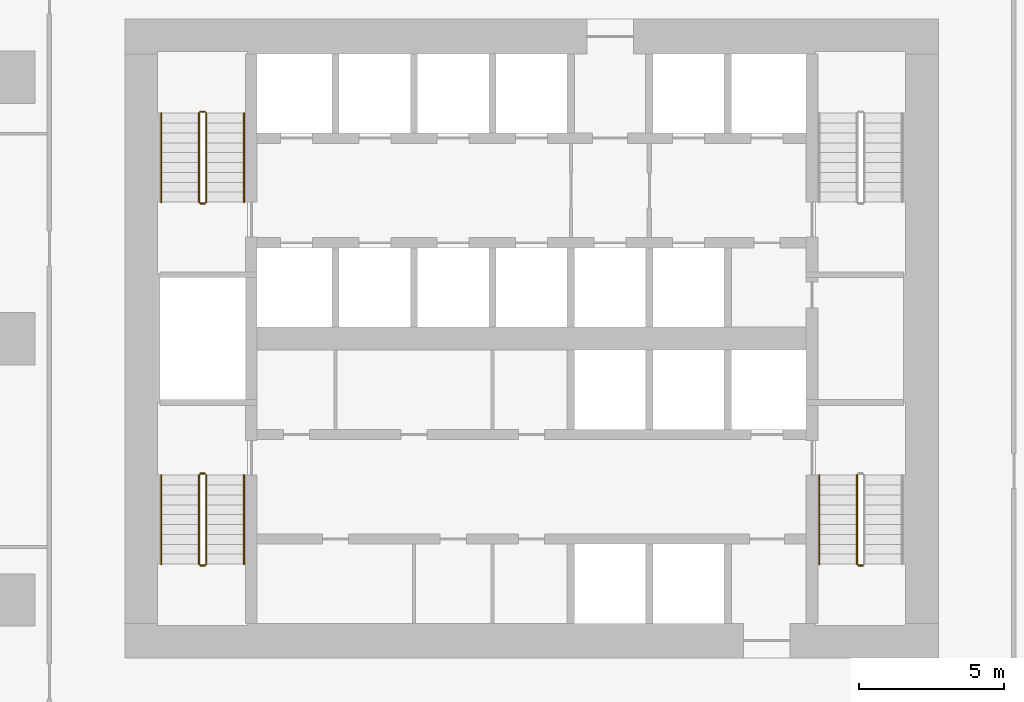
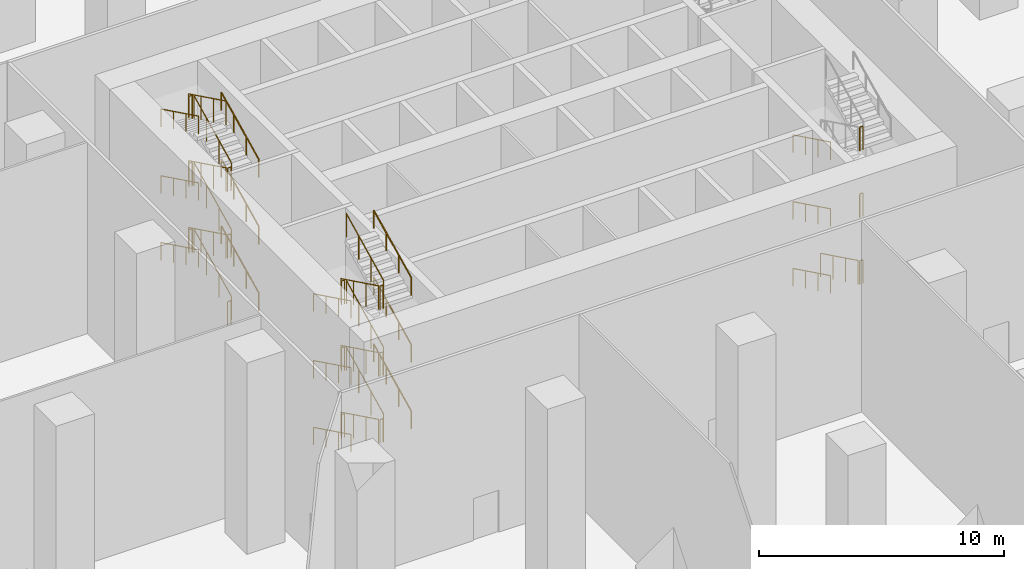
# One storey, part 20 of 21: 43 railings.
"""IFC4 building model written with IfcOpenShell, lengths in metres."""

from ifc_helpers import new_model, si_unit, direction, frame, origin, origin_2d, place, context, subcontext, project, spatial, circle, extrude, material, type_object, element, save


model = new_model("IFC4")

# Units and contexts
model_context = context("Model", 3, precision=1e-05, world=origin(), true_north=direction((0.0, 1.0)))
body_context = subcontext(model_context, "Body", "Model", "MODEL_VIEW")
ifc_project = project(units=[si_unit("LENGTHUNIT", "METRE"), si_unit("AREAUNIT", "SQUARE_METRE"), si_unit("VOLUMEUNIT", "CUBIC_METRE"), si_unit("PLANEANGLEUNIT", "RADIAN"), si_unit("MASSUNIT", "GRAM", prefix="KILO")], contexts=[model_context])

# Site, building, storey
site_placement = place(None, origin())
site = spatial("IfcSite", under=ifc_project, at=site_placement, CompositionType="ELEMENT")
building_placement = place(site_placement, origin())
building = spatial("IfcBuilding", under=site, at=building_placement, Name="Dongbaek Canopy Tower", CompositionType="ELEMENT")
storey_placement = place(building_placement, frame((0.0, 0.0, 9.0)))
storey = spatial("IfcBuildingStorey", under=building, at=storey_placement, Name="L01", CompositionType="ELEMENT", Elevation=9.0)

# Railings
ifc_material_1 = material(Name="Stainless steel tube and balusters", Category="steel")
railing_type_1 = type_object("IfcRailingType", Name="Stair guard 1200", PredefinedType="GUARDRAIL", material=ifc_material_1)
railing_1_placement = place(storey_placement, frame((-11.199951171875, 4.699951171875, 0.166748046875)))
element("IfcRailing", 1, at=railing_1_placement, inside=storey, type_object=railing_type_1, Name="L01 ST-C stair guard 1", PredefinedType="GUARDRAIL", context=body_context, shape_type="SweptSolid", body=[
    extrude(circle(Radius=0.02392578125, at=origin_2d()), frame((0.0, 0.0, 1.17578125), z_axis=(0.0, 0.897924053718, 0.440150421736), x_axis=(-1.0, 0.0, 0.0)), (0.0, 0.0, 1.0), 3.407958984375),
    extrude(circle(Radius=0.02099609375, at=origin_2d()), origin(), (0.0, 0.0, 1.0), 1.15185546875),
    extrude(circle(Radius=0.02099609375, at=origin_2d()), frame((0.0, 1.02001953125, 0.5)), (0.0, 0.0, 1.0), 1.15185546875),
    extrude(circle(Radius=0.02099609375, at=origin_2d()), frame((0.0, 2.0400390625, 1.0)), (0.0, 0.0, 1.0), 1.15185546875),
    extrude(circle(Radius=0.02099609375, at=origin_2d()), frame((0.0, 3.06005859375, 1.5)), (0.0, 0.0, 1.0), 1.15185546875),
])
railing_2_placement = place(storey_placement, frame((-11.25, 7.81005859375, 1.666748046875)))
element("IfcRailing", 2, at=railing_2_placement, inside=storey, type_object=railing_type_1, Name="L01 ST-C stair guard 2", PredefinedType="GUARDRAIL", context=body_context, shape_type="SweptSolid", body=[
    extrude(circle(Radius=0.02392578125, at=origin_2d()), frame((0.0, 0.0, 1.17578125), z_axis=(-1.0, 0.0, 0.0), x_axis=(0.0, -1.0, 0.0)), (0.0, 0.0, 1.0), 0.14990234375),
    extrude(circle(Radius=0.02099609375, at=origin_2d()), origin(), (0.0, 0.0, 1.0), 1.15185546875),
    extrude(circle(Radius=0.02099609375, at=origin_2d()), frame((-0.14990234375, 0.0, 0.0)), (0.0, 0.0, 1.0), 1.15185546875),
])
railing_3_placement = place(storey_placement, frame((-11.449951171875, 7.760009765625, 1.833251953125)))
element("IfcRailing", 3, at=railing_3_placement, inside=storey, type_object=railing_type_1, Name="L01 ST-C stair guard 3", PredefinedType="GUARDRAIL", context=body_context, shape_type="SweptSolid", body=[
    extrude(circle(Radius=0.02392578125, at=origin_2d()), frame((0.0, 0.0, 1.17578125), z_axis=(0.0, -0.897924053718, 0.440150421736), x_axis=(1.0, 0.0, 0.0)), (0.0, 0.0, 1.0), 3.407958984375),
    extrude(circle(Radius=0.02099609375, at=origin_2d()), origin(), (0.0, 0.0, 1.0), 1.15185546875),
    extrude(circle(Radius=0.02099609375, at=origin_2d()), frame((0.0, -1.02001953125, 0.5)), (0.0, 0.0, 1.0), 1.15185546875),
    extrude(circle(Radius=0.02099609375, at=origin_2d()), frame((0.0, -2.0400390625, 1.0)), (0.0, 0.0, 1.0), 1.15185546875),
    extrude(circle(Radius=0.02099609375, at=origin_2d()), frame((0.0, -3.06005859375, 1.5)), (0.0, 0.0, 1.0), 1.15185546875),
])
railing_4_placement = place(storey_placement, frame((-11.25, 4.64990234375, 3.333251953125)))
element("IfcRailing", 4, at=railing_4_placement, inside=storey, type_object=railing_type_1, Name="L01 ST-C stair guard 4", PredefinedType="GUARDRAIL", context=body_context, shape_type="SweptSolid", body=[
    extrude(circle(Radius=0.02392578125, at=origin_2d()), frame((0.0, 0.0, 1.17578125), z_axis=(-1.0, 0.0, 0.0), x_axis=(0.0, -1.0, 0.0)), (0.0, 0.0, 1.0), 0.14990234375),
    extrude(circle(Radius=0.02099609375, at=origin_2d()), origin(), (0.0, 0.0, 1.0), 1.15185546875),
    extrude(circle(Radius=0.02099609375, at=origin_2d()), frame((-0.14990234375, 0.0, 0.0)), (0.0, 0.0, 1.0), 1.15185546875),
])
railing_5_placement = place(storey_placement, frame((-11.199951171875, 4.699951171875, 3.5)))
element("IfcRailing", 5, at=railing_5_placement, inside=storey, type_object=railing_type_1, Name="L01 ST-C stair guard 5", PredefinedType="GUARDRAIL", context=body_context, shape_type="SweptSolid", body=[
    extrude(circle(Radius=0.02392578125, at=origin_2d()), frame((0.0, 0.0, 1.17578125), z_axis=(0.0, 0.897924053718, 0.440150421736), x_axis=(-1.0, 0.0, 0.0)), (0.0, 0.0, 1.0), 3.407958984375),
    extrude(circle(Radius=0.02099609375, at=origin_2d()), origin(), (0.0, 0.0, 1.0), 1.15185546875),
    extrude(circle(Radius=0.02099609375, at=origin_2d()), frame((0.0, 1.02001953125, 0.5)), (0.0, 0.0, 1.0), 1.15185546875),
    extrude(circle(Radius=0.02099609375, at=origin_2d()), frame((0.0, 2.0400390625, 1.0)), (0.0, 0.0, 1.0), 1.15185546875),
    extrude(circle(Radius=0.02099609375, at=origin_2d()), frame((0.0, 3.06005859375, 1.5)), (0.0, 0.0, 1.0), 1.15185546875),
])
railing_6_placement = place(storey_placement, frame((-11.25, 7.81005859375, 5.0)))
element("IfcRailing", 6, at=railing_6_placement, inside=storey, type_object=railing_type_1, Name="L01 ST-C stair guard 6", PredefinedType="GUARDRAIL", context=body_context, shape_type="SweptSolid", body=[
    extrude(circle(Radius=0.02392578125, at=origin_2d()), frame((0.0, 0.0, 1.17578125), z_axis=(-1.0, 0.0, 0.0), x_axis=(0.0, -1.0, 0.0)), (0.0, 0.0, 1.0), 0.14990234375),
    extrude(circle(Radius=0.02099609375, at=origin_2d()), origin(), (0.0, 0.0, 1.0), 1.15185546875),
    extrude(circle(Radius=0.02099609375, at=origin_2d()), frame((-0.14990234375, 0.0, 0.0)), (0.0, 0.0, 1.0), 1.15185546875),
])
railing_7_placement = place(storey_placement, frame((-11.449951171875, 7.760009765625, 5.166748046875)))
element("IfcRailing", 7, at=railing_7_placement, inside=storey, type_object=railing_type_1, Name="L01 ST-C stair guard 7", PredefinedType="GUARDRAIL", context=body_context, shape_type="SweptSolid", body=[
    extrude(circle(Radius=0.02392578125, at=origin_2d()), frame((0.0, 0.0, 1.17578125), z_axis=(0.0, -0.897924053718, 0.440150421736), x_axis=(1.0, 0.0, 0.0)), (0.0, 0.0, 1.0), 3.407958984375),
    extrude(circle(Radius=0.02099609375, at=origin_2d()), origin(), (0.0, 0.0, 1.0), 1.15185546875),
    extrude(circle(Radius=0.02099609375, at=origin_2d()), frame((0.0, -1.02001953125, 0.5)), (0.0, 0.0, 1.0), 1.15185546875),
    extrude(circle(Radius=0.02099609375, at=origin_2d()), frame((0.0, -2.0400390625, 1.0)), (0.0, 0.0, 1.0), 1.15185546875),
    extrude(circle(Radius=0.02099609375, at=origin_2d()), frame((0.0, -3.06005859375, 1.5)), (0.0, 0.0, 1.0), 1.15185546875),
])
railing_8_placement = place(storey_placement, frame((-11.25, 4.64990234375, 6.666748046875)))
element("IfcRailing", 8, at=railing_8_placement, inside=storey, type_object=railing_type_1, Name="L01 ST-C stair guard 8", PredefinedType="GUARDRAIL", context=body_context, shape_type="SweptSolid", body=[
    extrude(circle(Radius=0.02392578125, at=origin_2d()), frame((0.0, 0.0, 1.17578125), z_axis=(-1.0, 0.0, 0.0), x_axis=(0.0, -1.0, 0.0)), (0.0, 0.0, 1.0), 0.14990234375),
    extrude(circle(Radius=0.02099609375, at=origin_2d()), origin(), (0.0, 0.0, 1.0), 1.15185546875),
    extrude(circle(Radius=0.02099609375, at=origin_2d()), frame((-0.14990234375, 0.0, 0.0)), (0.0, 0.0, 1.0), 1.15185546875),
])
railing_9_placement = place(storey_placement, frame((-11.199951171875, 4.699951171875, 6.833251953125)))
element("IfcRailing", 9, at=railing_9_placement, inside=storey, type_object=railing_type_1, Name="L01 ST-C stair guard 9", PredefinedType="GUARDRAIL", context=body_context, shape_type="SweptSolid", body=[
    extrude(circle(Radius=0.02392578125, at=origin_2d()), frame((0.0, 0.0, 1.17578125), z_axis=(0.0, 0.897924053718, 0.440150421736), x_axis=(-1.0, 0.0, 0.0)), (0.0, 0.0, 1.0), 3.407958984375),
    extrude(circle(Radius=0.02099609375, at=origin_2d()), origin(), (0.0, 0.0, 1.0), 1.15185546875),
    extrude(circle(Radius=0.02099609375, at=origin_2d()), frame((0.0, 1.02001953125, 0.5)), (0.0, 0.0, 1.0), 1.15185546875),
    extrude(circle(Radius=0.02099609375, at=origin_2d()), frame((0.0, 2.0400390625, 1.0)), (0.0, 0.0, 1.0), 1.15185546875),
    extrude(circle(Radius=0.02099609375, at=origin_2d()), frame((0.0, 3.06005859375, 1.5)), (0.0, 0.0, 1.0), 1.15185546875),
])
railing_10_placement = place(storey_placement, frame((-11.25, 7.81005859375, 8.333251953125)))
element("IfcRailing", 10, at=railing_10_placement, inside=storey, type_object=railing_type_1, Name="L01 ST-C stair guard 10", PredefinedType="GUARDRAIL", context=body_context, shape_type="SweptSolid", body=[
    extrude(circle(Radius=0.02392578125, at=origin_2d()), frame((0.0, 0.0, 1.17578125), z_axis=(-1.0, 0.0, 0.0), x_axis=(0.0, -1.0, 0.0)), (0.0, 0.0, 1.0), 0.14990234375),
    extrude(circle(Radius=0.02099609375, at=origin_2d()), origin(), (0.0, 0.0, 1.0), 1.15185546875),
    extrude(circle(Radius=0.02099609375, at=origin_2d()), frame((-0.14990234375, 0.0, 0.0)), (0.0, 0.0, 1.0), 1.15185546875),
])
railing_11_placement = place(storey_placement, frame((-11.449951171875, 7.760009765625, 8.5)))
element("IfcRailing", 11, at=railing_11_placement, inside=storey, type_object=railing_type_1, Name="L01 ST-C stair guard 11", PredefinedType="GUARDRAIL", context=body_context, shape_type="SweptSolid", body=[
    extrude(circle(Radius=0.02392578125, at=origin_2d()), frame((0.0, 0.0, 1.17578125), z_axis=(0.0, -0.897924053718, 0.440150421736), x_axis=(1.0, 0.0, 0.0)), (0.0, 0.0, 1.0), 3.407958984375),
    extrude(circle(Radius=0.02099609375, at=origin_2d()), origin(), (0.0, 0.0, 1.0), 1.15185546875),
    extrude(circle(Radius=0.02099609375, at=origin_2d()), frame((0.0, -1.02001953125, 0.5)), (0.0, 0.0, 1.0), 1.15185546875),
    extrude(circle(Radius=0.02099609375, at=origin_2d()), frame((0.0, -2.0400390625, 1.0)), (0.0, 0.0, 1.0), 1.15185546875),
    extrude(circle(Radius=0.02099609375, at=origin_2d()), frame((0.0, -3.06005859375, 1.5)), (0.0, 0.0, 1.0), 1.15185546875),
])
railing_12_placement = place(storey_placement, frame((-11.25, 4.64990234375, 0.0)))
element("IfcRailing", 12, at=railing_12_placement, inside=storey, type_object=railing_type_1, Name="L01 ST-C stair guard 12", PredefinedType="GUARDRAIL", context=body_context, shape_type="SweptSolid", body=[
    extrude(circle(Radius=0.02392578125, at=origin_2d()), frame((0.0, 0.0, 1.17578125), z_axis=(-1.0, 0.0, 0.0), x_axis=(0.0, -1.0, 0.0)), (0.0, 0.0, 1.0), 0.14990234375),
    extrude(circle(Radius=0.02099609375, at=origin_2d()), origin(), (0.0, 0.0, 1.0), 1.15185546875),
    extrude(circle(Radius=0.02099609375, at=origin_2d()), frame((-0.14990234375, 0.0, 0.0)), (0.0, 0.0, 1.0), 1.15185546875),
])
railing_13_placement = place(storey_placement, frame((11.199951171875, -4.699951171875, 0.166748046875)))
element("IfcRailing", 13, at=railing_13_placement, inside=storey, type_object=railing_type_1, Name="L01 ST-B stair guard 1", PredefinedType="GUARDRAIL", context=body_context, shape_type="SweptSolid", body=[
    extrude(circle(Radius=0.02392578125, at=origin_2d()), frame((0.0, 0.0, 1.17578125), z_axis=(0.0, -0.897924053718, 0.440150421736), x_axis=(1.0, 0.0, 0.0)), (0.0, 0.0, 1.0), 3.407958984375),
    extrude(circle(Radius=0.02099609375, at=origin_2d()), origin(), (0.0, 0.0, 1.0), 1.15185546875),
    extrude(circle(Radius=0.02099609375, at=origin_2d()), frame((0.0, -1.02001953125, 0.5)), (0.0, 0.0, 1.0), 1.15185546875),
    extrude(circle(Radius=0.02099609375, at=origin_2d()), frame((0.0, -2.0400390625, 1.0)), (0.0, 0.0, 1.0), 1.15185546875),
    extrude(circle(Radius=0.02099609375, at=origin_2d()), frame((0.0, -3.06005859375, 1.5)), (0.0, 0.0, 1.0), 1.15185546875),
])
for number, where, name in (
    (14, (11.25, -7.81005859375, 1.666748046875), "L01 ST-B stair guard 2"),
    (15, (11.25, -7.81005859375, 5.0), "L01 ST-B stair guard 6"),
    (16, (11.25, -7.81005859375, 8.333251953125), "L01 ST-B stair guard 10"),
):
    element("IfcRailing", number, at=place(storey_placement, frame(where)), inside=storey, type_object=railing_type_1, Name=name, PredefinedType="GUARDRAIL", context=body_context, shape_type="SweptSolid", body=[
        extrude(circle(Radius=0.02392578125, at=origin_2d()), frame((0.0, 0.0, 1.17578125), z_axis=(1.0, 0.0, 0.0), x_axis=(0.0, 1.0, 0.0)), (0.0, 0.0, 1.0), 0.14990234375),
        extrude(circle(Radius=0.02099609375, at=origin_2d()), origin(), (0.0, 0.0, 1.0), 1.15185546875),
        extrude(circle(Radius=0.02099609375, at=origin_2d()), frame((0.14990234375, 0.0, 0.0)), (0.0, 0.0, 1.0), 1.15185546875),
    ])
railing_14_placement = place(storey_placement, frame((-11.449951171875, -4.699951171875, 0.166748046875)))
element("IfcRailing", 17, at=railing_14_placement, inside=storey, type_object=railing_type_1, Name="L01 ST-D stair guard 1", PredefinedType="GUARDRAIL", context=body_context, shape_type="SweptSolid", body=[
    extrude(circle(Radius=0.02392578125, at=origin_2d()), frame((0.0, 0.0, 1.17578125), z_axis=(0.0, -0.897924053718, 0.440150421736), x_axis=(1.0, 0.0, 0.0)), (0.0, 0.0, 1.0), 3.407958984375),
    extrude(circle(Radius=0.02099609375, at=origin_2d()), origin(), (0.0, 0.0, 1.0), 1.15185546875),
    extrude(circle(Radius=0.02099609375, at=origin_2d()), frame((0.0, -1.02001953125, 0.5)), (0.0, 0.0, 1.0), 1.15185546875),
    extrude(circle(Radius=0.02099609375, at=origin_2d()), frame((0.0, -2.0400390625, 1.0)), (0.0, 0.0, 1.0), 1.15185546875),
    extrude(circle(Radius=0.02099609375, at=origin_2d()), frame((0.0, -3.06005859375, 1.5)), (0.0, 0.0, 1.0), 1.15185546875),
])
railing_15_placement = place(storey_placement, frame((-11.39990234375, -7.81005859375, 1.666748046875)))
element("IfcRailing", 18, at=railing_15_placement, inside=storey, type_object=railing_type_1, Name="L01 ST-D stair guard 2", PredefinedType="GUARDRAIL", context=body_context, shape_type="SweptSolid", body=[
    extrude(circle(Radius=0.02392578125, at=origin_2d()), frame((0.0, 0.0, 1.17578125), z_axis=(1.0, 0.0, 0.0), x_axis=(0.0, 1.0, 0.0)), (0.0, 0.0, 1.0), 0.14990234375),
    extrude(circle(Radius=0.02099609375, at=origin_2d()), origin(), (0.0, 0.0, 1.0), 1.15185546875),
    extrude(circle(Radius=0.02099609375, at=origin_2d()), frame((0.14990234375, 0.0, 0.0)), (0.0, 0.0, 1.0), 1.15185546875),
])
railing_16_placement = place(storey_placement, frame((-11.199951171875, -7.760009765625, 1.833251953125)))
element("IfcRailing", 19, at=railing_16_placement, inside=storey, type_object=railing_type_1, Name="L01 ST-D stair guard 3", PredefinedType="GUARDRAIL", context=body_context, shape_type="SweptSolid", body=[
    extrude(circle(Radius=0.02392578125, at=origin_2d()), frame((0.0, 0.0, 1.17578125), z_axis=(0.0, 0.897924053718, 0.440150421736), x_axis=(-1.0, 0.0, 0.0)), (0.0, 0.0, 1.0), 3.407958984375),
    extrude(circle(Radius=0.02099609375, at=origin_2d()), origin(), (0.0, 0.0, 1.0), 1.15185546875),
    extrude(circle(Radius=0.02099609375, at=origin_2d()), frame((0.0, 1.02001953125, 0.5)), (0.0, 0.0, 1.0), 1.15185546875),
    extrude(circle(Radius=0.02099609375, at=origin_2d()), frame((0.0, 2.0400390625, 1.0)), (0.0, 0.0, 1.0), 1.15185546875),
    extrude(circle(Radius=0.02099609375, at=origin_2d()), frame((0.0, 3.06005859375, 1.5)), (0.0, 0.0, 1.0), 1.15185546875),
])
railing_17_placement = place(storey_placement, frame((-11.39990234375, -4.64990234375, 3.333251953125)))
element("IfcRailing", 20, at=railing_17_placement, inside=storey, type_object=railing_type_1, Name="L01 ST-D stair guard 4", PredefinedType="GUARDRAIL", context=body_context, shape_type="SweptSolid", body=[
    extrude(circle(Radius=0.02392578125, at=origin_2d()), frame((0.0, 0.0, 1.17578125), z_axis=(1.0, 0.0, 0.0), x_axis=(0.0, 1.0, 0.0)), (0.0, 0.0, 1.0), 0.14990234375),
    extrude(circle(Radius=0.02099609375, at=origin_2d()), origin(), (0.0, 0.0, 1.0), 1.15185546875),
    extrude(circle(Radius=0.02099609375, at=origin_2d()), frame((0.14990234375, 0.0, 0.0)), (0.0, 0.0, 1.0), 1.15185546875),
])
railing_18_placement = place(storey_placement, frame((-11.449951171875, -4.699951171875, 3.5)))
element("IfcRailing", 21, at=railing_18_placement, inside=storey, type_object=railing_type_1, Name="L01 ST-D stair guard 5", PredefinedType="GUARDRAIL", context=body_context, shape_type="SweptSolid", body=[
    extrude(circle(Radius=0.02392578125, at=origin_2d()), frame((0.0, 0.0, 1.17578125), z_axis=(0.0, -0.897924053718, 0.440150421736), x_axis=(1.0, 0.0, 0.0)), (0.0, 0.0, 1.0), 3.407958984375),
    extrude(circle(Radius=0.02099609375, at=origin_2d()), origin(), (0.0, 0.0, 1.0), 1.15185546875),
    extrude(circle(Radius=0.02099609375, at=origin_2d()), frame((0.0, -1.02001953125, 0.5)), (0.0, 0.0, 1.0), 1.15185546875),
    extrude(circle(Radius=0.02099609375, at=origin_2d()), frame((0.0, -2.0400390625, 1.0)), (0.0, 0.0, 1.0), 1.15185546875),
    extrude(circle(Radius=0.02099609375, at=origin_2d()), frame((0.0, -3.06005859375, 1.5)), (0.0, 0.0, 1.0), 1.15185546875),
])
railing_19_placement = place(storey_placement, frame((-11.39990234375, -7.81005859375, 5.0)))
element("IfcRailing", 22, at=railing_19_placement, inside=storey, type_object=railing_type_1, Name="L01 ST-D stair guard 6", PredefinedType="GUARDRAIL", context=body_context, shape_type="SweptSolid", body=[
    extrude(circle(Radius=0.02392578125, at=origin_2d()), frame((0.0, 0.0, 1.17578125), z_axis=(1.0, 0.0, 0.0), x_axis=(0.0, 1.0, 0.0)), (0.0, 0.0, 1.0), 0.14990234375),
    extrude(circle(Radius=0.02099609375, at=origin_2d()), origin(), (0.0, 0.0, 1.0), 1.15185546875),
    extrude(circle(Radius=0.02099609375, at=origin_2d()), frame((0.14990234375, 0.0, 0.0)), (0.0, 0.0, 1.0), 1.15185546875),
])
railing_20_placement = place(storey_placement, frame((-11.199951171875, -7.760009765625, 5.166748046875)))
element("IfcRailing", 23, at=railing_20_placement, inside=storey, type_object=railing_type_1, Name="L01 ST-D stair guard 7", PredefinedType="GUARDRAIL", context=body_context, shape_type="SweptSolid", body=[
    extrude(circle(Radius=0.02392578125, at=origin_2d()), frame((0.0, 0.0, 1.17578125), z_axis=(0.0, 0.897924053718, 0.440150421736), x_axis=(-1.0, 0.0, 0.0)), (0.0, 0.0, 1.0), 3.407958984375),
    extrude(circle(Radius=0.02099609375, at=origin_2d()), origin(), (0.0, 0.0, 1.0), 1.15185546875),
    extrude(circle(Radius=0.02099609375, at=origin_2d()), frame((0.0, 1.02001953125, 0.5)), (0.0, 0.0, 1.0), 1.15185546875),
    extrude(circle(Radius=0.02099609375, at=origin_2d()), frame((0.0, 2.0400390625, 1.0)), (0.0, 0.0, 1.0), 1.15185546875),
    extrude(circle(Radius=0.02099609375, at=origin_2d()), frame((0.0, 3.06005859375, 1.5)), (0.0, 0.0, 1.0), 1.15185546875),
])
railing_21_placement = place(storey_placement, frame((-11.39990234375, -4.64990234375, 6.666748046875)))
element("IfcRailing", 24, at=railing_21_placement, inside=storey, type_object=railing_type_1, Name="L01 ST-D stair guard 8", PredefinedType="GUARDRAIL", context=body_context, shape_type="SweptSolid", body=[
    extrude(circle(Radius=0.02392578125, at=origin_2d()), frame((0.0, 0.0, 1.17578125), z_axis=(1.0, 0.0, 0.0), x_axis=(0.0, 1.0, 0.0)), (0.0, 0.0, 1.0), 0.14990234375),
    extrude(circle(Radius=0.02099609375, at=origin_2d()), origin(), (0.0, 0.0, 1.0), 1.15185546875),
    extrude(circle(Radius=0.02099609375, at=origin_2d()), frame((0.14990234375, 0.0, 0.0)), (0.0, 0.0, 1.0), 1.15185546875),
])
railing_22_placement = place(storey_placement, frame((-11.449951171875, -4.699951171875, 6.833251953125)))
element("IfcRailing", 25, at=railing_22_placement, inside=storey, type_object=railing_type_1, Name="L01 ST-D stair guard 9", PredefinedType="GUARDRAIL", context=body_context, shape_type="SweptSolid", body=[
    extrude(circle(Radius=0.02392578125, at=origin_2d()), frame((0.0, 0.0, 1.17578125), z_axis=(0.0, -0.897924053718, 0.440150421736), x_axis=(1.0, 0.0, 0.0)), (0.0, 0.0, 1.0), 3.407958984375),
    extrude(circle(Radius=0.02099609375, at=origin_2d()), origin(), (0.0, 0.0, 1.0), 1.15185546875),
    extrude(circle(Radius=0.02099609375, at=origin_2d()), frame((0.0, -1.02001953125, 0.5)), (0.0, 0.0, 1.0), 1.15185546875),
    extrude(circle(Radius=0.02099609375, at=origin_2d()), frame((0.0, -2.0400390625, 1.0)), (0.0, 0.0, 1.0), 1.15185546875),
    extrude(circle(Radius=0.02099609375, at=origin_2d()), frame((0.0, -3.06005859375, 1.5)), (0.0, 0.0, 1.0), 1.15185546875),
])
railing_23_placement = place(storey_placement, frame((-11.39990234375, -7.81005859375, 8.333251953125)))
element("IfcRailing", 26, at=railing_23_placement, inside=storey, type_object=railing_type_1, Name="L01 ST-D stair guard 10", PredefinedType="GUARDRAIL", context=body_context, shape_type="SweptSolid", body=[
    extrude(circle(Radius=0.02392578125, at=origin_2d()), frame((0.0, 0.0, 1.17578125), z_axis=(1.0, 0.0, 0.0), x_axis=(0.0, 1.0, 0.0)), (0.0, 0.0, 1.0), 0.14990234375),
    extrude(circle(Radius=0.02099609375, at=origin_2d()), origin(), (0.0, 0.0, 1.0), 1.15185546875),
    extrude(circle(Radius=0.02099609375, at=origin_2d()), frame((0.14990234375, 0.0, 0.0)), (0.0, 0.0, 1.0), 1.15185546875),
])
railing_24_placement = place(storey_placement, frame((-11.199951171875, -7.760009765625, 8.5)))
element("IfcRailing", 27, at=railing_24_placement, inside=storey, type_object=railing_type_1, Name="L01 ST-D stair guard 11", PredefinedType="GUARDRAIL", context=body_context, shape_type="SweptSolid", body=[
    extrude(circle(Radius=0.02392578125, at=origin_2d()), frame((0.0, 0.0, 1.17578125), z_axis=(0.0, 0.897924053718, 0.440150421736), x_axis=(-1.0, 0.0, 0.0)), (0.0, 0.0, 1.0), 3.407958984375),
    extrude(circle(Radius=0.02099609375, at=origin_2d()), origin(), (0.0, 0.0, 1.0), 1.15185546875),
    extrude(circle(Radius=0.02099609375, at=origin_2d()), frame((0.0, 1.02001953125, 0.5)), (0.0, 0.0, 1.0), 1.15185546875),
    extrude(circle(Radius=0.02099609375, at=origin_2d()), frame((0.0, 2.0400390625, 1.0)), (0.0, 0.0, 1.0), 1.15185546875),
    extrude(circle(Radius=0.02099609375, at=origin_2d()), frame((0.0, 3.06005859375, 1.5)), (0.0, 0.0, 1.0), 1.15185546875),
])
railing_25_placement = place(storey_placement, frame((-11.39990234375, -4.64990234375, 0.0)))
element("IfcRailing", 28, at=railing_25_placement, inside=storey, type_object=railing_type_1, Name="L01 ST-D stair guard 12", PredefinedType="GUARDRAIL", context=body_context, shape_type="SweptSolid", body=[
    extrude(circle(Radius=0.02392578125, at=origin_2d()), frame((0.0, 0.0, 1.17578125), z_axis=(1.0, 0.0, 0.0), x_axis=(0.0, 1.0, 0.0)), (0.0, 0.0, 1.0), 0.14990234375),
    extrude(circle(Radius=0.02099609375, at=origin_2d()), origin(), (0.0, 0.0, 1.0), 1.15185546875),
    extrude(circle(Radius=0.02099609375, at=origin_2d()), frame((0.14990234375, 0.0, 0.0)), (0.0, 0.0, 1.0), 1.15185546875),
])
ifc_material_2 = material(Name="Stainless steel tube", Category="steel")
railing_type_2 = type_object("IfcRailingType", Name="Stair handrail 900", PredefinedType="HANDRAIL", material=ifc_material_2)
railing_26_placement = place(storey_placement, frame((-9.89990234375, 4.699951171875, 0.166748046875)))
element("IfcRailing", 29, at=railing_26_placement, inside=storey, type_object=railing_type_2, Name="L01 ST-C stair handrail 1", PredefinedType="HANDRAIL", context=body_context, shape_type="SweptSolid", body=[
    extrude(circle(Radius=0.02392578125, at=origin_2d()), frame((0.0, 0.0, 0.8759765625), z_axis=(0.0, 0.897924053718, 0.440150421736), x_axis=(-1.0, 0.0, 0.0)), (0.0, 0.0, 1.0), 3.407958984375),
    extrude(circle(Radius=0.02099609375, at=origin_2d()), origin(), (0.0, 0.0, 1.0), 0.851806640625),
    extrude(circle(Radius=0.02099609375, at=origin_2d()), frame((0.0, 1.02001953125, 0.5)), (0.0, 0.0, 1.0), 0.851806640625),
    extrude(circle(Radius=0.02099609375, at=origin_2d()), frame((0.0, 2.0400390625, 1.0)), (0.0, 0.0, 1.0), 0.851806640625),
    extrude(circle(Radius=0.02099609375, at=origin_2d()), frame((0.0, 3.06005859375, 1.5)), (0.0, 0.0, 1.0), 0.851806640625),
])
railing_27_placement = place(storey_placement, frame((-12.75, 7.760009765625, 1.833251953125)))
element("IfcRailing", 30, at=railing_27_placement, inside=storey, type_object=railing_type_2, Name="L01 ST-C stair handrail 2", PredefinedType="HANDRAIL", context=body_context, shape_type="SweptSolid", body=[
    extrude(circle(Radius=0.02392578125, at=origin_2d()), frame((0.0, 0.0, 0.8759765625), z_axis=(0.0, -0.897924053718, 0.440150421736), x_axis=(1.0, 0.0, 0.0)), (0.0, 0.0, 1.0), 3.407958984375),
    extrude(circle(Radius=0.02099609375, at=origin_2d()), origin(), (0.0, 0.0, 1.0), 0.851806640625),
    extrude(circle(Radius=0.02099609375, at=origin_2d()), frame((0.0, -1.02001953125, 0.5)), (0.0, 0.0, 1.0), 0.851806640625),
    extrude(circle(Radius=0.02099609375, at=origin_2d()), frame((0.0, -2.0400390625, 1.0)), (0.0, 0.0, 1.0), 0.851806640625),
    extrude(circle(Radius=0.02099609375, at=origin_2d()), frame((0.0, -3.06005859375, 1.5)), (0.0, 0.0, 1.0), 0.851806640625),
])
railing_28_placement = place(storey_placement, frame((-9.89990234375, 4.699951171875, 3.5)))
element("IfcRailing", 31, at=railing_28_placement, inside=storey, type_object=railing_type_2, Name="L01 ST-C stair handrail 3", PredefinedType="HANDRAIL", context=body_context, shape_type="SweptSolid", body=[
    extrude(circle(Radius=0.02392578125, at=origin_2d()), frame((0.0, 0.0, 0.8759765625), z_axis=(0.0, 0.897924053718, 0.440150421736), x_axis=(-1.0, 0.0, 0.0)), (0.0, 0.0, 1.0), 3.407958984375),
    extrude(circle(Radius=0.02099609375, at=origin_2d()), origin(), (0.0, 0.0, 1.0), 0.851806640625),
    extrude(circle(Radius=0.02099609375, at=origin_2d()), frame((0.0, 1.02001953125, 0.5)), (0.0, 0.0, 1.0), 0.851806640625),
    extrude(circle(Radius=0.02099609375, at=origin_2d()), frame((0.0, 2.0400390625, 1.0)), (0.0, 0.0, 1.0), 0.851806640625),
    extrude(circle(Radius=0.02099609375, at=origin_2d()), frame((0.0, 3.06005859375, 1.5)), (0.0, 0.0, 1.0), 0.851806640625),
])
railing_29_placement = place(storey_placement, frame((-12.75, 7.760009765625, 5.166748046875)))
element("IfcRailing", 32, at=railing_29_placement, inside=storey, type_object=railing_type_2, Name="L01 ST-C stair handrail 4", PredefinedType="HANDRAIL", context=body_context, shape_type="SweptSolid", body=[
    extrude(circle(Radius=0.02392578125, at=origin_2d()), frame((0.0, 0.0, 0.8759765625), z_axis=(0.0, -0.897924053718, 0.440150421736), x_axis=(1.0, 0.0, 0.0)), (0.0, 0.0, 1.0), 3.407958984375),
    extrude(circle(Radius=0.02099609375, at=origin_2d()), origin(), (0.0, 0.0, 1.0), 0.851806640625),
    extrude(circle(Radius=0.02099609375, at=origin_2d()), frame((0.0, -1.02001953125, 0.5)), (0.0, 0.0, 1.0), 0.851806640625),
    extrude(circle(Radius=0.02099609375, at=origin_2d()), frame((0.0, -2.0400390625, 1.0)), (0.0, 0.0, 1.0), 0.851806640625),
    extrude(circle(Radius=0.02099609375, at=origin_2d()), frame((0.0, -3.06005859375, 1.5)), (0.0, 0.0, 1.0), 0.851806640625),
])
railing_30_placement = place(storey_placement, frame((-9.89990234375, 4.699951171875, 6.833251953125)))
element("IfcRailing", 33, at=railing_30_placement, inside=storey, type_object=railing_type_2, Name="L01 ST-C stair handrail 5", PredefinedType="HANDRAIL", context=body_context, shape_type="SweptSolid", body=[
    extrude(circle(Radius=0.02392578125, at=origin_2d()), frame((0.0, 0.0, 0.8759765625), z_axis=(0.0, 0.897924053718, 0.440150421736), x_axis=(-1.0, 0.0, 0.0)), (0.0, 0.0, 1.0), 3.407958984375),
    extrude(circle(Radius=0.02099609375, at=origin_2d()), origin(), (0.0, 0.0, 1.0), 0.851806640625),
    extrude(circle(Radius=0.02099609375, at=origin_2d()), frame((0.0, 1.02001953125, 0.5)), (0.0, 0.0, 1.0), 0.851806640625),
    extrude(circle(Radius=0.02099609375, at=origin_2d()), frame((0.0, 2.0400390625, 1.0)), (0.0, 0.0, 1.0), 0.851806640625),
    extrude(circle(Radius=0.02099609375, at=origin_2d()), frame((0.0, 3.06005859375, 1.5)), (0.0, 0.0, 1.0), 0.851806640625),
])
for number, where, name in (
    (34, (-12.75, 7.760009765625, 8.5), "L01 ST-C stair handrail 6"),
    (35, (9.89990234375, -4.699951171875, 0.166748046875), "L01 ST-B stair handrail 1"),
    (36, (9.89990234375, -4.699951171875, 3.5), "L01 ST-B stair handrail 3"),
    (37, (9.89990234375, -4.699951171875, 6.833251953125), "L01 ST-B stair handrail 5"),
    (38, (-12.75, -4.699951171875, 0.166748046875), "L01 ST-D stair handrail 1"),
):
    element("IfcRailing", number, at=place(storey_placement, frame(where)), inside=storey, type_object=railing_type_2, Name=name, PredefinedType="HANDRAIL", context=body_context, shape_type="SweptSolid", body=[
        extrude(circle(Radius=0.02392578125, at=origin_2d()), frame((0.0, 0.0, 0.8759765625), z_axis=(0.0, -0.897924053718, 0.440150421736), x_axis=(1.0, 0.0, 0.0)), (0.0, 0.0, 1.0), 3.407958984375),
        extrude(circle(Radius=0.02099609375, at=origin_2d()), origin(), (0.0, 0.0, 1.0), 0.851806640625),
        extrude(circle(Radius=0.02099609375, at=origin_2d()), frame((0.0, -1.02001953125, 0.5)), (0.0, 0.0, 1.0), 0.851806640625),
        extrude(circle(Radius=0.02099609375, at=origin_2d()), frame((0.0, -2.0400390625, 1.0)), (0.0, 0.0, 1.0), 0.851806640625),
        extrude(circle(Radius=0.02099609375, at=origin_2d()), frame((0.0, -3.06005859375, 1.5)), (0.0, 0.0, 1.0), 0.851806640625),
    ])
railing_31_placement = place(storey_placement, frame((-9.89990234375, -7.760009765625, 1.833251953125)))
element("IfcRailing", 39, at=railing_31_placement, inside=storey, type_object=railing_type_2, Name="L01 ST-D stair handrail 2", PredefinedType="HANDRAIL", context=body_context, shape_type="SweptSolid", body=[
    extrude(circle(Radius=0.02392578125, at=origin_2d()), frame((0.0, 0.0, 0.8759765625), z_axis=(0.0, 0.897924053718, 0.440150421736), x_axis=(-1.0, 0.0, 0.0)), (0.0, 0.0, 1.0), 3.407958984375),
    extrude(circle(Radius=0.02099609375, at=origin_2d()), origin(), (0.0, 0.0, 1.0), 0.851806640625),
    extrude(circle(Radius=0.02099609375, at=origin_2d()), frame((0.0, 1.02001953125, 0.5)), (0.0, 0.0, 1.0), 0.851806640625),
    extrude(circle(Radius=0.02099609375, at=origin_2d()), frame((0.0, 2.0400390625, 1.0)), (0.0, 0.0, 1.0), 0.851806640625),
    extrude(circle(Radius=0.02099609375, at=origin_2d()), frame((0.0, 3.06005859375, 1.5)), (0.0, 0.0, 1.0), 0.851806640625),
])
railing_32_placement = place(storey_placement, frame((-12.75, -4.699951171875, 3.5)))
element("IfcRailing", 40, at=railing_32_placement, inside=storey, type_object=railing_type_2, Name="L01 ST-D stair handrail 3", PredefinedType="HANDRAIL", context=body_context, shape_type="SweptSolid", body=[
    extrude(circle(Radius=0.02392578125, at=origin_2d()), frame((0.0, 0.0, 0.8759765625), z_axis=(0.0, -0.897924053718, 0.440150421736), x_axis=(1.0, 0.0, 0.0)), (0.0, 0.0, 1.0), 3.407958984375),
    extrude(circle(Radius=0.02099609375, at=origin_2d()), origin(), (0.0, 0.0, 1.0), 0.851806640625),
    extrude(circle(Radius=0.02099609375, at=origin_2d()), frame((0.0, -1.02001953125, 0.5)), (0.0, 0.0, 1.0), 0.851806640625),
    extrude(circle(Radius=0.02099609375, at=origin_2d()), frame((0.0, -2.0400390625, 1.0)), (0.0, 0.0, 1.0), 0.851806640625),
    extrude(circle(Radius=0.02099609375, at=origin_2d()), frame((0.0, -3.06005859375, 1.5)), (0.0, 0.0, 1.0), 0.851806640625),
])
railing_33_placement = place(storey_placement, frame((-9.89990234375, -7.760009765625, 5.166748046875)))
element("IfcRailing", 41, at=railing_33_placement, inside=storey, type_object=railing_type_2, Name="L01 ST-D stair handrail 4", PredefinedType="HANDRAIL", context=body_context, shape_type="SweptSolid", body=[
    extrude(circle(Radius=0.02392578125, at=origin_2d()), frame((0.0, 0.0, 0.8759765625), z_axis=(0.0, 0.897924053718, 0.440150421736), x_axis=(-1.0, 0.0, 0.0)), (0.0, 0.0, 1.0), 3.407958984375),
    extrude(circle(Radius=0.02099609375, at=origin_2d()), origin(), (0.0, 0.0, 1.0), 0.851806640625),
    extrude(circle(Radius=0.02099609375, at=origin_2d()), frame((0.0, 1.02001953125, 0.5)), (0.0, 0.0, 1.0), 0.851806640625),
    extrude(circle(Radius=0.02099609375, at=origin_2d()), frame((0.0, 2.0400390625, 1.0)), (0.0, 0.0, 1.0), 0.851806640625),
    extrude(circle(Radius=0.02099609375, at=origin_2d()), frame((0.0, 3.06005859375, 1.5)), (0.0, 0.0, 1.0), 0.851806640625),
])
railing_34_placement = place(storey_placement, frame((-12.75, -4.699951171875, 6.833251953125)))
element("IfcRailing", 42, at=railing_34_placement, inside=storey, type_object=railing_type_2, Name="L01 ST-D stair handrail 5", PredefinedType="HANDRAIL", context=body_context, shape_type="SweptSolid", body=[
    extrude(circle(Radius=0.02392578125, at=origin_2d()), frame((0.0, 0.0, 0.8759765625), z_axis=(0.0, -0.897924053718, 0.440150421736), x_axis=(1.0, 0.0, 0.0)), (0.0, 0.0, 1.0), 3.407958984375),
    extrude(circle(Radius=0.02099609375, at=origin_2d()), origin(), (0.0, 0.0, 1.0), 0.851806640625),
    extrude(circle(Radius=0.02099609375, at=origin_2d()), frame((0.0, -1.02001953125, 0.5)), (0.0, 0.0, 1.0), 0.851806640625),
    extrude(circle(Radius=0.02099609375, at=origin_2d()), frame((0.0, -2.0400390625, 1.0)), (0.0, 0.0, 1.0), 0.851806640625),
    extrude(circle(Radius=0.02099609375, at=origin_2d()), frame((0.0, -3.06005859375, 1.5)), (0.0, 0.0, 1.0), 0.851806640625),
])
railing_35_placement = place(storey_placement, frame((-9.89990234375, -7.760009765625, 8.5)))
element("IfcRailing", 43, at=railing_35_placement, inside=storey, type_object=railing_type_2, Name="L01 ST-D stair handrail 6", PredefinedType="HANDRAIL", context=body_context, shape_type="SweptSolid", body=[
    extrude(circle(Radius=0.02392578125, at=origin_2d()), frame((0.0, 0.0, 0.8759765625), z_axis=(0.0, 0.897924053718, 0.440150421736), x_axis=(-1.0, 0.0, 0.0)), (0.0, 0.0, 1.0), 3.407958984375),
    extrude(circle(Radius=0.02099609375, at=origin_2d()), origin(), (0.0, 0.0, 1.0), 0.851806640625),
    extrude(circle(Radius=0.02099609375, at=origin_2d()), frame((0.0, 1.02001953125, 0.5)), (0.0, 0.0, 1.0), 0.851806640625),
    extrude(circle(Radius=0.02099609375, at=origin_2d()), frame((0.0, 2.0400390625, 1.0)), (0.0, 0.0, 1.0), 0.851806640625),
    extrude(circle(Radius=0.02099609375, at=origin_2d()), frame((0.0, 3.06005859375, 1.5)), (0.0, 0.0, 1.0), 0.851806640625),
])

save(model, "model.ifc")
